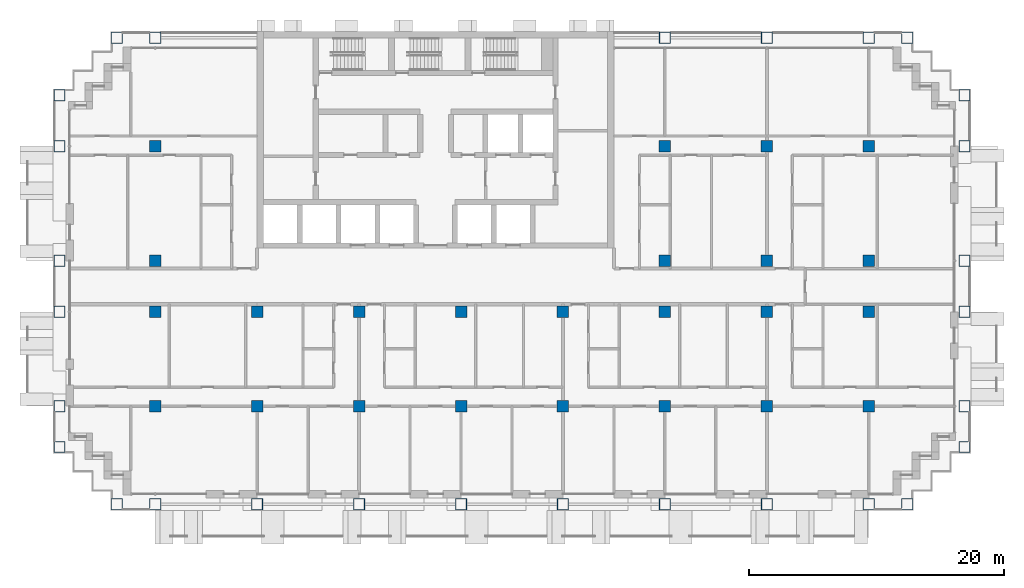
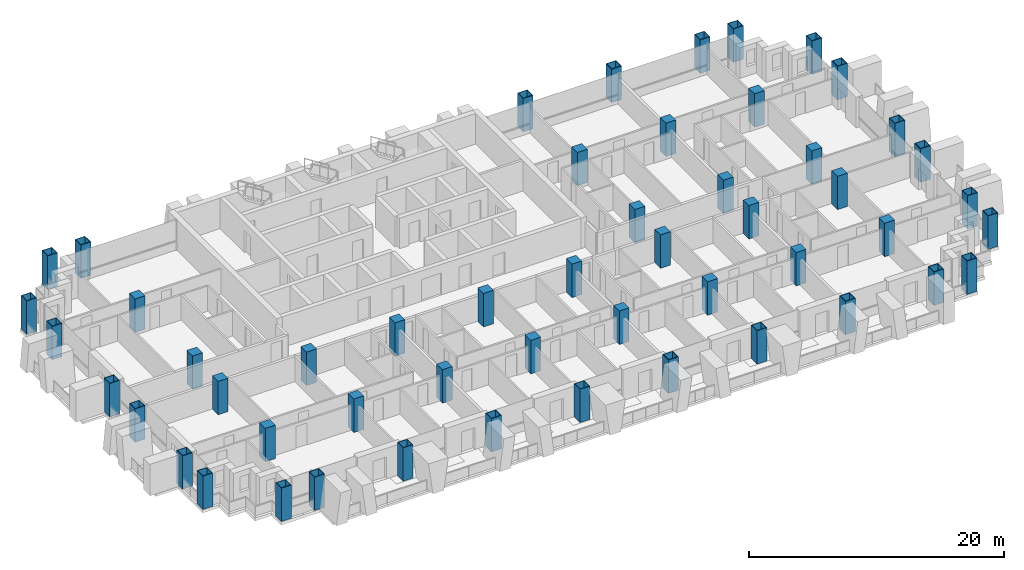
# One storey, part 1 of 17: 52 columns.
"""IFC4 building model written with IfcOpenShell, lengths in metres."""

from ifc_helpers import new_model, si_unit, direction, frame, origin, origin_2d, place, context, subcontext, project, spatial, rectangle, hollow_rectangle, extrude, material, material_profile, profile_set, type_object, element, save


model = new_model("IFC4")

# Units and contexts
model_context = context("Model", 3, precision=1e-05, world=origin(), true_north=direction((0.0, 1.0)))
body_context = subcontext(model_context, "Body", "Model", "MODEL_VIEW")
ifc_project = project(units=[si_unit("LENGTHUNIT", "METRE"), si_unit("AREAUNIT", "SQUARE_METRE"), si_unit("VOLUMEUNIT", "CUBIC_METRE"), si_unit("PLANEANGLEUNIT", "RADIAN"), si_unit("MASSUNIT", "GRAM", prefix="KILO")], contexts=[model_context])

# Site, building, storey
site_placement = place(None, origin())
site = spatial("IfcSite", under=ifc_project, at=site_placement, CompositionType="ELEMENT")
building_placement = place(site_placement, origin())
building = spatial("IfcBuilding", under=site, at=building_placement, Name="Vidyagriha Tower", CompositionType="ELEMENT")
storey_placement = place(building_placement, frame((0.0, 0.0, 77.5)))
storey = spatial("IfcBuildingStorey", under=building, at=storey_placement, Name="L19", CompositionType="ELEMENT", Elevation=77.5)

# Columns
ifc_material_1 = material(Name="Steel ASTM A572 Grade 50", Category="steel")
ifc_material_profile_1 = material_profile(ifc_material_1, hollow_rectangle(XDim=0.89990234375, YDim=0.89990234375, WallThickness=0.044921875, at=origin_2d()), Name="BOX 900x900x45")
ifc_profile_set_1 = profile_set([ifc_material_profile_1], Name="Steel ASTM A572 Grade 50")
column_type_1 = type_object("IfcColumnType", Name="Exoskeleton column BOX 900x900x45", PredefinedType="COLUMN", material=ifc_profile_set_1)
for number, where, name in (
    (1, (-25.0, -17.10009765625, 0.0), "st-col-L19-B2-001"),
    (2, (-22.0, -17.10009765625, 0.0), "st-col-L19-B2-002"),
    (3, (-14.0, -17.10009765625, 0.0), "st-col-L19-B2-003"),
    (4, (-6.0, -17.10009765625, 0.0), "st-col-L19-B2-004"),
    (5, (2.0, -17.10009765625, 0.0), "st-col-L19-B2-005"),
    (6, (10.0, -17.10009765625, 0.0), "st-col-L19-B2-006"),
    (7, (18.0, -17.10009765625, 0.0), "st-col-L19-B2-007"),
    (8, (26.0, -17.10009765625, 0.0), "st-col-L19-B2-008"),
    (9, (34.0, -17.10009765625, 0.0), "st-col-L19-B2-009"),
    (10, (37.0, -17.10009765625, 0.0), "st-col-L19-B2-010"),
    (11, (-29.5, -12.60009765625, 0.0), "st-col-L19-B2-011"),
    (12, (41.5, -12.60009765625, 0.0), "st-col-L19-B2-012"),
    (13, (-29.5, -9.39990234375, 0.0), "st-col-L19-B2-013"),
    (14, (41.5, -9.39990234375, 0.0), "st-col-L19-B2-022"),
    (15, (-29.5, -2.0, 0.0), "st-col-L19-B2-023"),
    (16, (41.5, -2.0, 0.0), "st-col-L19-B2-032"),
    (17, (-29.5, 2.0, 0.0), "st-col-L19-B2-033"),
    (18, (41.5, 2.0, 0.0), "st-col-L19-B2-038"),
    (19, (-29.5, 11.0, 0.0), "st-col-L19-B2-039"),
    (20, (41.5, 11.0, 0.0), "st-col-L19-B2-044"),
    (21, (-29.5, 15.0, 0.0), "st-col-L19-B2-045"),
    (22, (41.5, 15.0, 0.0), "st-col-L19-B2-046"),
    (23, (-25.0, 19.5, 0.0), "st-col-L19-B2-047"),
    (24, (-22.0, 19.5, 0.0), "st-col-L19-B2-048"),
    (25, (18.0, 19.5, 0.0), "st-col-L19-B2-049"),
    (26, (26.0, 19.5, 0.0), "st-col-L19-B2-050"),
    (27, (34.0, 19.5, 0.0), "st-col-L19-B2-051"),
    (28, (37.0, 19.5, 0.0), "st-col-L19-B2-052"),
):
    element("IfcColumn", number, at=place(storey_placement, frame(where)), inside=storey, type_object=column_type_1, Name=name, PredefinedType="COLUMN", context=body_context, shape_type="SweptSolid", body=[
        extrude(hollow_rectangle(XDim=0.89990234375, YDim=0.89990234375, WallThickness=0.044921875, at=origin_2d()), origin(), (0.0, 0.0, 1.0), 3.199951171875),
    ])
ifc_material_2 = material(Name="Concrete C80/95", Category="concrete")
ifc_material_profile_2 = material_profile(ifc_material_2, rectangle(XDim=0.89990234375, YDim=0.89990234375, at=origin_2d()), Name="RC 900x900")
ifc_profile_set_2 = profile_set([ifc_material_profile_2], Name="Concrete C80/95")
column_type_2 = type_object("IfcColumnType", Name="Frame column RC 900x900", PredefinedType="COLUMN", material=ifc_profile_set_2)
for number, where, name in (
    (29, (-22.0, -9.39990234375, 0.0), "st-col-L19-B2-014"),
    (30, (-14.0, -9.39990234375, 0.0), "st-col-L19-B2-015"),
    (31, (-6.0, -9.39990234375, 0.0), "st-col-L19-B2-016"),
    (32, (2.0, -9.39990234375, 0.0), "st-col-L19-B2-017"),
    (33, (10.0, -9.39990234375, 0.0), "st-col-L19-B2-018"),
    (34, (18.0, -9.39990234375, 0.0), "st-col-L19-B2-019"),
    (35, (26.0, -9.39990234375, 0.0), "st-col-L19-B2-020"),
    (36, (34.0, -9.39990234375, 0.0), "st-col-L19-B2-021"),
    (37, (-22.0, -2.0, 0.0), "st-col-L19-B2-024"),
    (38, (-14.0, -2.0, 0.0), "st-col-L19-B2-025"),
    (39, (-6.0, -2.0, 0.0), "st-col-L19-B2-026"),
    (40, (2.0, -2.0, 0.0), "st-col-L19-B2-027"),
    (41, (10.0, -2.0, 0.0), "st-col-L19-B2-028"),
    (42, (18.0, -2.0, 0.0), "st-col-L19-B2-029"),
    (43, (26.0, -2.0, 0.0), "st-col-L19-B2-030"),
    (44, (34.0, -2.0, 0.0), "st-col-L19-B2-031"),
    (45, (-22.0, 2.0, 0.0), "st-col-L19-B2-034"),
    (46, (18.0, 2.0, 0.0), "st-col-L19-B2-035"),
    (47, (26.0, 2.0, 0.0), "st-col-L19-B2-036"),
    (48, (34.0, 2.0, 0.0), "st-col-L19-B2-037"),
    (49, (-22.0, 11.0, 0.0), "st-col-L19-B2-040"),
    (50, (18.0, 11.0, 0.0), "st-col-L19-B2-041"),
    (51, (26.0, 11.0, 0.0), "st-col-L19-B2-042"),
    (52, (34.0, 11.0, 0.0), "st-col-L19-B2-043"),
):
    element("IfcColumn", number, at=place(storey_placement, frame(where)), inside=storey, type_object=column_type_2, Name=name, PredefinedType="COLUMN", context=body_context, shape_type="SweptSolid", body=[
        extrude(rectangle(XDim=0.89990234375, YDim=0.89990234375, at=origin_2d()), origin(), (0.0, 0.0, 1.0), 3.199951171875),
    ])

save(model, "model.ifc")
